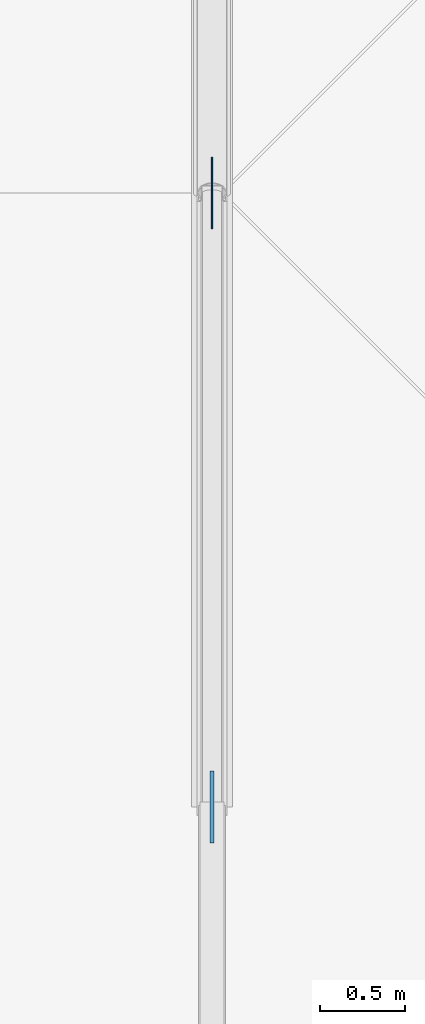
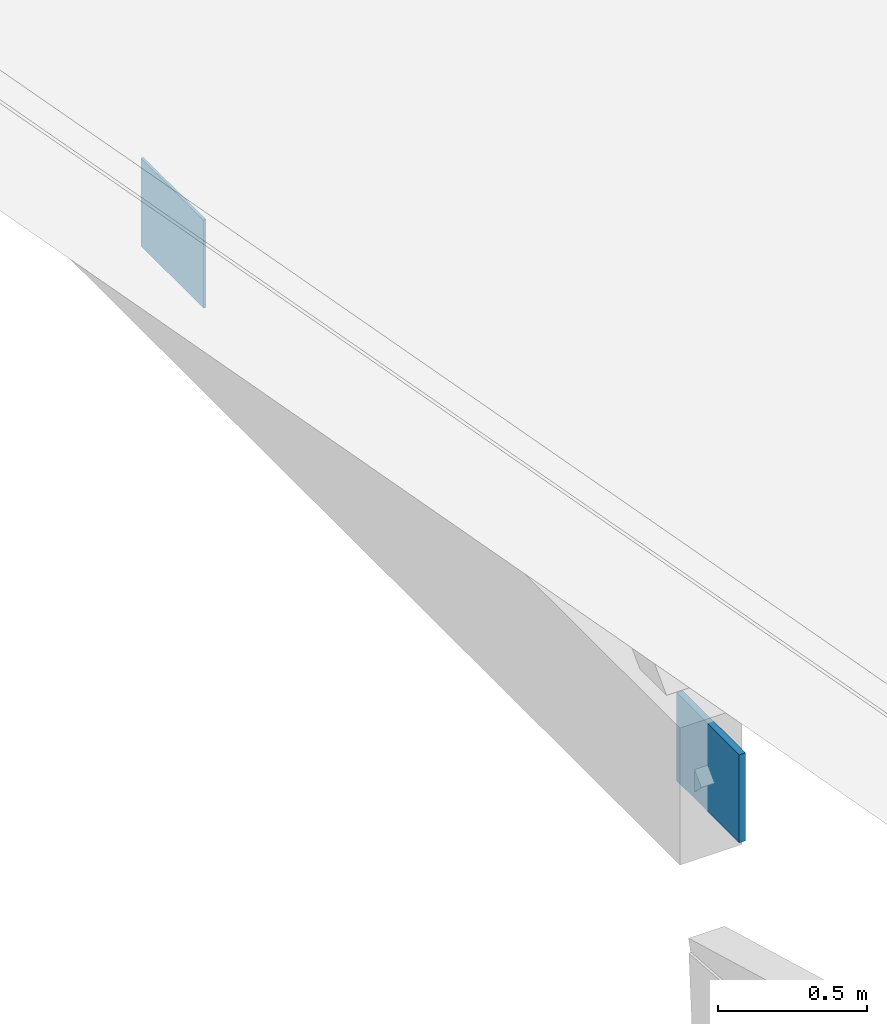
# One storey, part 30 of 51: 2 plates.
"""IFC4 building model written with IfcOpenShell, lengths in metres."""

import ifcopenshell
import ifcopenshell.guid

model = None  # the IFC model being written
_history = None  # IfcOwnerHistory: only IFC2X3 demands one
_inside = {}  # id of a spatial element -> (the spatial element, [elements in it])
_under = {}  # id of a project, library or spatial element -> (it, [spatial elements below it])
_declared = {}  # id of a project -> (the project, [libraries it declares])
_typed = {}  # id of a type object -> (the type object, [elements of that type])
_made_of = {}  # id of a material, layer set ... -> (it, [elements and type objects made of it])


def new_model(schema):
    """Start an empty IFC model of exactly this schema.

    Asked for "IFC4X3", IfcOpenShell would pick the latest addendum, in which some entities
    have other attributes; the version numbers below select the first issue.
    IFC2X3 requires an IfcOwnerHistory on every rooted entity: one is made here for all.
    """
    global model, _history
    if schema == "IFC4X3":
        model = ifcopenshell.file(schema_version=(4, 3, 0, 0))
    else:
        model = ifcopenshell.file(schema=schema)
    _inside.clear()
    _under.clear()
    _declared.clear()
    _typed.clear()
    _made_of.clear()
    _history = None
    if model.schema == "IFC2X3":
        org = make("IfcOrganization", Name="unknown")
        user = make(
            "IfcPersonAndOrganization",
            ThePerson=make("IfcPerson", FamilyName="unknown"),
            TheOrganization=org,
        )
        app = make(
            "IfcApplication",
            ApplicationDeveloper=org,
            Version="unknown",
            ApplicationFullName="unknown",
            ApplicationIdentifier="unknown",
        )
        _history = make(
            "IfcOwnerHistory",
            OwningUser=user,
            OwningApplication=app,
            ChangeAction="ADDED",
            CreationDate=0,
        )
    return model


def make(cls, **values):
    """One entity of the class cls with the attributes given. An attribute that is None is left unset."""
    return model.create_entity(
        cls, **{name: value for name, value in values.items() if value is not None}
    )


def rooted(cls, **values):
    """An entity with a GlobalId (a new one), such as an element, a storey or a relation."""
    return make(cls, GlobalId=ifcopenshell.guid.new(), OwnerHistory=_history, **values)


def si_unit(unit_type, name, prefix=None):
    """IfcSIUnit, for example si_unit("LENGTHUNIT", "METRE", prefix="MILLI")."""
    return make("IfcSIUnit", UnitType=unit_type, Prefix=prefix, Name=name)


def assignment(units):
    """IfcUnitAssignment: the units of a project."""
    return None if units is None else make("IfcUnitAssignment", Units=units)


def point(xyz):
    """IfcCartesianPoint."""
    return None if xyz is None else make("IfcCartesianPoint", Coordinates=xyz)


def direction(xyz):
    """IfcDirection."""
    return None if xyz is None else make("IfcDirection", DirectionRatios=xyz)


def frame(location, z_axis=None, x_axis=None):
    """IfcAxis2Placement3D, a coordinate frame: its origin and axes. An axis left out is left unset."""
    return make(
        "IfcAxis2Placement3D",
        Location=point(location),
        Axis=direction(z_axis),
        RefDirection=direction(x_axis),
    )


def frame_2d(location, x_axis=None):
    """IfcAxis2Placement2D, a coordinate frame in the plane: its origin and x axis."""
    return make(
        "IfcAxis2Placement2D", Location=point(location), RefDirection=direction(x_axis)
    )


def origin():
    """The frame at (0, 0, 0) with its axes left unset."""
    return frame((0.0, 0.0, 0.0))


def origin_2d():
    """The frame at (0, 0) in the plane with its x axis left unset."""
    return frame_2d((0.0, 0.0))


def place(relative_to, where):
    """IfcLocalPlacement: puts the frame where relative to a parent placement (None: the world)."""
    return make(
        "IfcLocalPlacement", PlacementRelTo=relative_to, RelativePlacement=where
    )


def context(
    kind, dimensions, precision=None, world=None, true_north=None, identifier=None
):
    """IfcGeometricRepresentationContext, for example the 3D "Model" context."""
    return make(
        "IfcGeometricRepresentationContext",
        ContextIdentifier=identifier,
        ContextType=kind,
        CoordinateSpaceDimension=dimensions,
        Precision=precision,
        WorldCoordinateSystem=world,
        TrueNorth=true_north,
    )


def subcontext(parent, identifier, kind, view, scale=None):
    """IfcGeometricRepresentationSubContext, for example "Body" below "Model"."""
    return make(
        "IfcGeometricRepresentationSubContext",
        ContextIdentifier=identifier,
        ContextType=kind,
        ParentContext=parent,
        TargetScale=scale,
        TargetView=view,
    )


def project(units=None, contexts=None):
    """IfcProject with its units and contexts."""
    return rooted(
        "IfcProject",
        Name="project",
        RepresentationContexts=contexts,
        UnitsInContext=assignment(units),
    )


def spatial(cls, under=None, at=None, **own):
    """A site, building, storey or space (cls), placed at a placement, below another one or the project."""
    s = rooted(cls, ObjectPlacement=at, **own)
    if under is not None:
        _under.setdefault(under.id(), (under, []))[1].append(s)
    return s


def profile(cls, at=None, kind="AREA", **sizes):
    """A parametric profile (cls). Its sizes go by their IFC names, for example OverallWidth=200.0."""
    return make(cls, ProfileType=kind, Position=at, **sizes)


def rectangle(**sizes):
    """IfcRectangleProfileDef."""
    return profile("IfcRectangleProfileDef", **sizes)


def extrude(swept, where, along, depth):
    """IfcExtrudedAreaSolid: the profile swept, set in the frame where, extruded along a direction by depth."""
    return make(
        "IfcExtrudedAreaSolid",
        SweptArea=swept,
        Position=where,
        ExtrudedDirection=direction(along),
        Depth=depth,
    )


def shape(context_of_items, identifier, shape_type, items):
    """IfcShapeRepresentation: the items that make up one representation, for example the "Body"."""
    return make(
        "IfcShapeRepresentation",
        ContextOfItems=context_of_items,
        RepresentationIdentifier=identifier,
        RepresentationType=shape_type,
        Items=items,
    )


def material(Name=None, Category=None):
    """IfcMaterial."""
    return make("IfcMaterial", Name=Name, Category=Category)


def layer(
    of_material, thickness, ventilated=None, Name=None, Category=None, Priority=None
):
    """IfcMaterialLayer: one layer of a wall or slab, of a material (None: an air gap)."""
    return make(
        "IfcMaterialLayer",
        Material=of_material,
        LayerThickness=thickness,
        IsVentilated=ventilated,
        Name=Name,
        Category=Category,
        Priority=Priority,
    )


def layer_set(layers, Name=None):
    """IfcMaterialLayerSet."""
    return make("IfcMaterialLayerSet", MaterialLayers=layers, LayerSetName=Name)


def made_of(thing, what):
    """Note that an element or type object is made of a material, layer set ...; save() writes the relation."""
    if what is not None:
        _made_of.setdefault(what.id(), (what, []))[1].append(thing)
    return thing


def type_object(cls, material=None, **own):
    """A type object (cls), such as IfcWallType, which elements share."""
    return made_of(rooted(cls, **own), material)


def element(
    cls,
    number,
    at=None,
    inside=None,
    cuts=None,
    type_object=None,
    material=None,
    context=None,
    identifier="Body",
    shape_type=None,
    held_by="IfcProductDefinitionShape",
    body=None,
    shapes=None,
    **own,
):
    """One element of the class cls, such as IfcWall. Its Tag is "e" and its number.

    at: its placement. inside: the storey or other place that contains it. cuts: it is an
    opening in that element (IfcRelVoidsElement). A single representation is given by context,
    identifier, shape_type and body (its items); several are given by shapes. held_by: the class
    of the entity that holds the representations. save() writes the other relations.
    """
    e = rooted(cls, Tag="e%d" % number, ObjectPlacement=at, **own)
    if body is not None:
        shapes = [shape(context, identifier, shape_type, body)]
    if shapes is not None:
        e.Representation = make(held_by, Representations=shapes)
    if inside is not None:
        _inside.setdefault(inside.id(), (inside, []))[1].append(e)
    if cuts is not None:
        rooted(
            "IfcRelVoidsElement", RelatingBuildingElement=cuts, RelatedOpeningElement=e
        )
    if type_object is not None:
        _typed.setdefault(type_object.id(), (type_object, []))[1].append(e)
    return made_of(e, material)


def aggregate(whole, parts):
    """IfcRelAggregates: a whole, such as a stair, and the parts it consists of."""
    return rooted("IfcRelAggregates", RelatingObject=whole, RelatedObjects=parts)


def save(model, path):
    """Write the relations noted so far, then the file.

    IfcRelAggregates (storeys below a building ...), IfcRelContainedInSpatialStructure (elements
    in a storey), IfcRelDefinesByType, IfcRelAssociatesMaterial and IfcRelDeclares: one each for
    every whole, place, type object, material and project.
    """
    for whole, parts in _under.values():
        aggregate(whole, parts)
    for where, things in _inside.values():
        rooted(
            "IfcRelContainedInSpatialStructure",
            RelatedElements=things,
            RelatingStructure=where,
        )
    for kind, things in _typed.values():
        rooted("IfcRelDefinesByType", RelatedObjects=things, RelatingType=kind)
    for what, things in _made_of.values():
        rooted("IfcRelAssociatesMaterial", RelatedObjects=things, RelatingMaterial=what)
    for by, libraries in _declared.values():
        rooted("IfcRelDeclares", RelatingContext=by, RelatedDefinitions=libraries)
    model.write(path)


model = new_model("IFC4")

# Units and contexts
model_context = context("Model", 3, precision=1e-05, world=origin(), true_north=direction((0.0, 1.0)))
body_context = subcontext(model_context, "Body", "Model", "MODEL_VIEW")
ifc_project = project(units=[si_unit("LENGTHUNIT", "METRE"), si_unit("AREAUNIT", "SQUARE_METRE"), si_unit("VOLUMEUNIT", "CUBIC_METRE"), si_unit("PLANEANGLEUNIT", "RADIAN"), si_unit("MASSUNIT", "GRAM", prefix="KILO")], contexts=[model_context])

# Site, building, storey
site_placement = place(None, origin())
site = spatial("IfcSite", under=ifc_project, at=site_placement, CompositionType="ELEMENT")
building_placement = place(site_placement, origin())
building = spatial("IfcBuilding", under=site, at=building_placement, Name="Steenspoor Specialist Clinic", CompositionType="ELEMENT")
storey_placement = place(building_placement, frame((0.0, 0.0, 17.39990234375)))
storey = spatial("IfcBuildingStorey", under=building, at=storey_placement, Name="L04", CompositionType="ELEMENT", Elevation=17.39990234375)

# Plates
ifc_material = material(Name="Steel A572 Grade 50", Category="steel")
ifc_layer_1 = layer(ifc_material, 0.010009765625)
ifc_layer_set_1 = layer_set([ifc_layer_1], Name="Steel A572 Grade 50")
plate_type_1 = type_object("IfcPlateType", Name="PL-CAP-10", PredefinedType="SHEET", material=ifc_layer_set_1)
plate_1_placement = place(storey_placement, frame((110.0, 75.949951171875, 0.2001953125), z_axis=(0.0, 0.0, 1.0), x_axis=(1.0, 0.0, 0.0)))
element("IfcPlate", 1, at=plate_1_placement, inside=storey, type_object=plate_type_1, Name="Truss Gusset Plate GP-10", PredefinedType="SHEET", context=body_context, shape_type="SweptSolid", body=[
    extrude(rectangle(XDim=0.010009765625, YDim=0.419921875, at=origin_2d()), origin(), (0.0, 0.0, 1.0), 0.360107421875),
])
ifc_layer_2 = layer(ifc_material, 0.02392578125)
ifc_layer_set_2 = layer_set([ifc_layer_2], Name="Steel A572 Grade 50")
plate_type_2 = type_object("IfcPlateType", Name="PL-GUS-24", PredefinedType="SHEET", material=ifc_layer_set_2)
plate_2_placement = place(storey_placement, frame((110.0, 72.35009765625, 0.2001953125), z_axis=(0.0, 0.0, 1.0), x_axis=(1.0, 0.0, 0.0)))
element("IfcPlate", 2, at=plate_2_placement, inside=storey, type_object=plate_type_2, Name="Truss Gusset Plate GP-24", PredefinedType="SHEET", context=body_context, shape_type="SweptSolid", body=[
    extrude(rectangle(XDim=0.02392578125, YDim=0.419921875, at=origin_2d()), origin(), (0.0, 0.0, 1.0), 0.360107421875),
])

save(model, "model.ifc")
